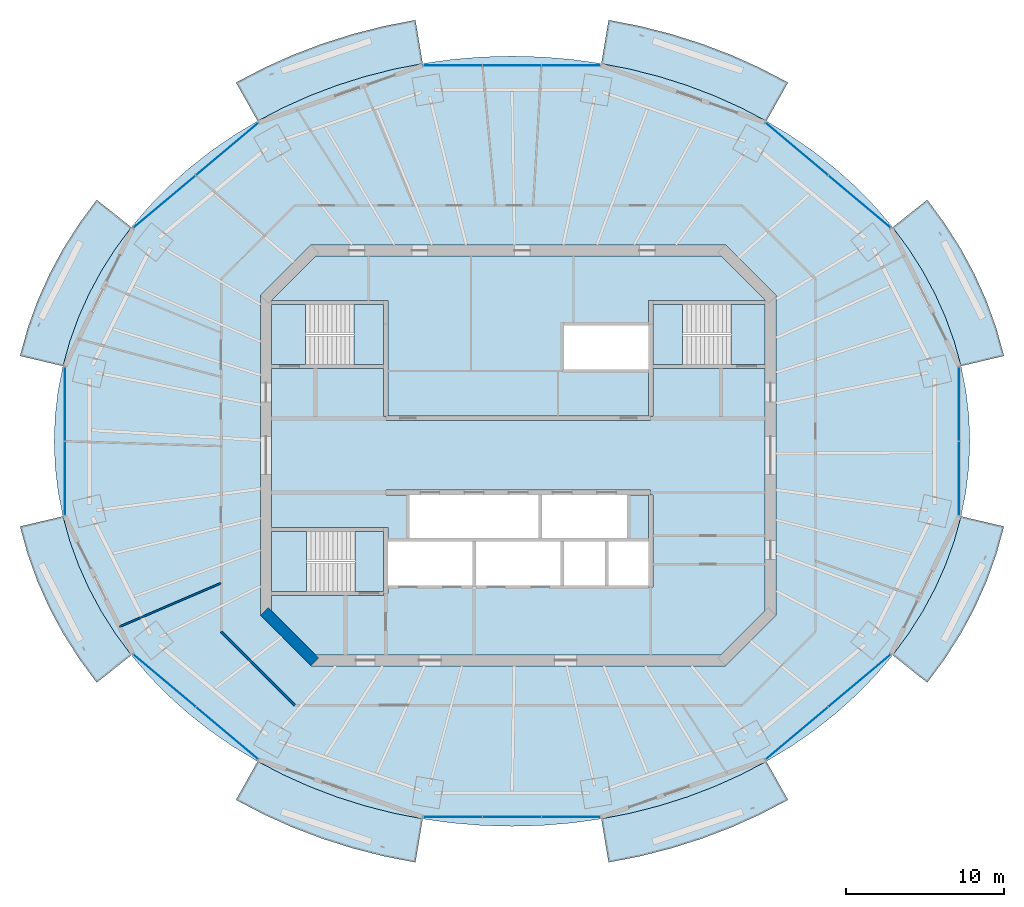
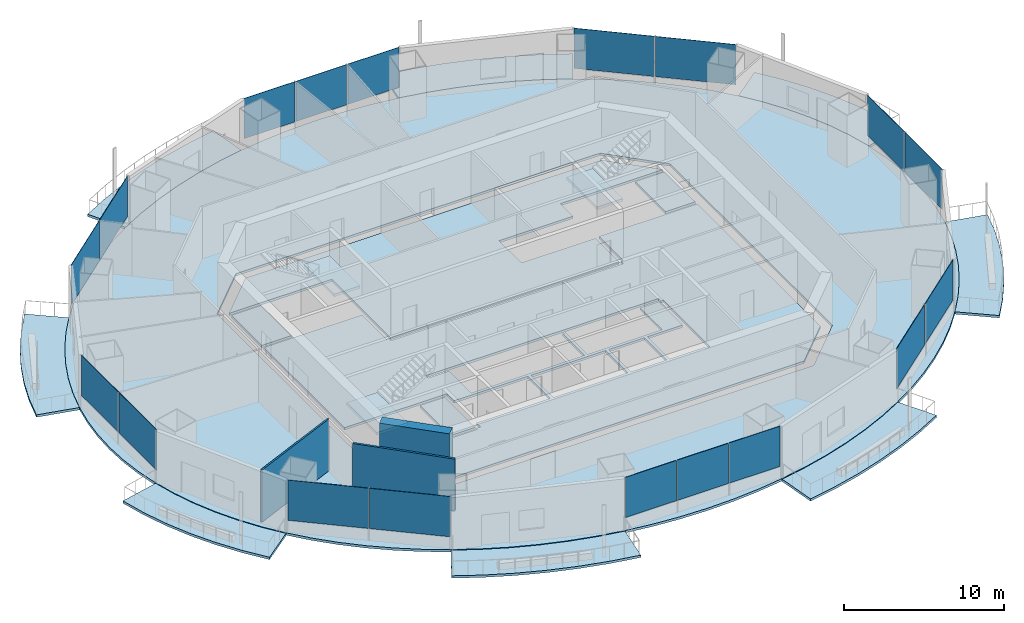
# One storey, part 7 of 16: 18 plates, 17 slabs, 3 walls, 11 elements without a shape of their own.
"""IFC4 building model written with IfcOpenShell, lengths in metres."""

from ifc_helpers import new_model, si_unit, direction, frame, frame_2d, origin, origin_2d, place, context, subcontext, project, spatial, polyline, rectangle, outline, extrude, material, layer, layer_set, type_object, element, aggregate, save


model = new_model("IFC4")

# Units and contexts
model_context = context("Model", 3, precision=1e-05, world=origin(), true_north=direction((0.0, 1.0)))
body_context = subcontext(model_context, "Body", "Model", "MODEL_VIEW")
ifc_project = project(units=[si_unit("LENGTHUNIT", "METRE"), si_unit("AREAUNIT", "SQUARE_METRE"), si_unit("VOLUMEUNIT", "CUBIC_METRE"), si_unit("PLANEANGLEUNIT", "RADIAN"), si_unit("MASSUNIT", "GRAM", prefix="KILO")], contexts=[model_context])

# Site, building, storey
site_placement = place(None, origin())
site = spatial("IfcSite", under=ifc_project, at=site_placement, CompositionType="ELEMENT")
building_placement = place(site_placement, origin())
building = spatial("IfcBuilding", under=site, at=building_placement, Name="Marenthal Gate Tower", CompositionType="ELEMENT")
storey_placement = place(building_placement, frame((0.0, 0.0, 292.800048828125)))
storey = spatial("IfcBuildingStorey", under=building, at=storey_placement, Name="L65", CompositionType="ELEMENT", Elevation=292.800048828125)

# Slabs
ifc_material_1 = material(Name="Concrete 40 MPa", Category="concrete")
ifc_layer_1 = layer(ifc_material_1, 0.179931640625)
ifc_layer_set_1 = layer_set([ifc_layer_1], Name="Balcony deck 180")
slab_type_1 = type_object("IfcSlabType", Name="Balcony deck 180", PredefinedType="USERDEFINED", material=ifc_layer_set_1)
slab_1_placement = place(storey_placement, frame((0.0, 0.0, -0.219970703125)))
element("IfcSlab", 1, at=slab_1_placement, inside=storey, type_object=slab_type_1, Name="Balcony deck L65 bay 1", ObjectType="BALCONY", PredefinedType="USERDEFINED", context=body_context, shape_type="SweptSolid", body=[
    extrude(outline(polyline([(28.080078125, 5.664794921875), (27.648681640625, 7.22119140625), (27.096923828125, 8.75048828125), (26.427490234375, 10.246337890625), (25.643310546875, 11.701904296875), (24.74755859375, 13.111572265625), (23.744140625, 14.46875), (25.9365234375, 16.21044921875), (27.05615234375, 14.696044921875), (28.058837890625, 13.1181640625), (28.939453125, 11.4833984375), (29.693603515625, 9.79833984375), (30.31640625, 8.071044921875), (30.804931640625, 6.30908203125), (28.080078125, 5.664794921875)])), origin(), (0.0, 0.0, 1.0), 0.179931640625),
])
slab_2_placement = place(storey_placement, frame((0.0, 0.0, -0.219970703125)))
element("IfcSlab", 2, at=slab_2_placement, inside=storey, type_object=slab_type_1, Name="Balcony deck L65 bay 3", ObjectType="BALCONY", PredefinedType="USERDEFINED", context=body_context, shape_type="SweptSolid", body=[
    extrude(outline(polyline([(15.732666015625, 21.20703125), (14.118896484375, 22.05078125), (12.443115234375, 22.80419921875), (10.71240234375, 23.4638671875), (8.93408203125, 24.02685546875), (7.115478515625, 24.49072265625), (5.264892578125, 24.853759765625), (5.72705078125, 27.615234375), (7.731201171875, 27.222412109375), (9.70263671875, 26.71923828125), (11.633544921875, 26.108154296875), (13.515869140625, 25.390625), (15.342041015625, 24.569580078125), (17.1044921875, 23.64794921875), (15.732666015625, 21.20703125)])), origin(), (0.0, 0.0, 1.0), 0.179931640625),
])
slab_3_placement = place(storey_placement, frame((0.0, 0.0, -0.219970703125)))
element("IfcSlab", 3, at=slab_3_placement, inside=storey, type_object=slab_type_1, Name="Balcony deck L65 bay 5", ObjectType="BALCONY", PredefinedType="USERDEFINED", context=body_context, shape_type="SweptSolid", body=[
    extrude(outline(polyline([(-6.06494140625, 24.853759765625), (-7.91552734375, 24.49072265625), (-9.73388671875, 24.02685546875), (-11.512451171875, 23.4638671875), (-13.2431640625, 22.80419921875), (-14.9189453125, 22.05078125), (-16.53271484375, 21.20703125), (-17.904296875, 23.64794921875), (-16.14208984375, 24.569580078125), (-14.31591796875, 25.390625), (-12.43359375, 26.108154296875), (-10.502685546875, 26.71923828125), (-8.53125, 27.222412109375), (-6.527099609375, 27.615234375), (-6.06494140625, 24.853759765625)])), origin(), (0.0, 0.0, 1.0), 0.179931640625),
])
slab_4_placement = place(storey_placement, frame((0.0, 0.0, -0.219970703125)))
element("IfcSlab", 4, at=slab_4_placement, inside=storey, type_object=slab_type_1, Name="Balcony deck L65 bay 7", ObjectType="BALCONY", PredefinedType="USERDEFINED", context=body_context, shape_type="SweptSolid", body=[
    extrude(outline(polyline([(-24.544189453125, 14.46875), (-25.547607421875, 13.111572265625), (-26.443359375, 11.701904296875), (-27.2275390625, 10.246337890625), (-27.89697265625, 8.75048828125), (-28.448486328125, 7.22119140625), (-28.8798828125, 5.664794921875), (-31.604736328125, 6.30908203125), (-31.116455078125, 8.071044921875), (-30.493408203125, 9.79833984375), (-29.739501953125, 11.4833984375), (-28.85888671875, 13.1181640625), (-27.85595703125, 14.696044921875), (-26.736572265625, 16.21044921875), (-24.544189453125, 14.46875)])), origin(), (0.0, 0.0, 1.0), 0.179931640625),
])
slab_5_placement = place(storey_placement, frame((0.0, 0.0, -0.219970703125)))
element("IfcSlab", 5, at=slab_5_placement, inside=storey, type_object=slab_type_1, Name="Balcony deck L65 bay 9", ObjectType="BALCONY", PredefinedType="USERDEFINED", context=body_context, shape_type="SweptSolid", body=[
    extrude(outline(polyline([(-28.8798828125, -3.86474609375), (-28.448486328125, -5.421142578125), (-27.89697265625, -6.950439453125), (-27.2275390625, -8.4462890625), (-26.443359375, -9.902099609375), (-25.547607421875, -11.3115234375), (-24.544189453125, -12.668701171875), (-26.736572265625, -14.410400390625), (-27.85595703125, -12.896240234375), (-28.85888671875, -11.318115234375), (-29.739501953125, -9.683349609375), (-30.493408203125, -7.99853515625), (-31.116455078125, -6.27099609375), (-31.604736328125, -4.509033203125), (-28.8798828125, -3.86474609375)])), origin(), (0.0, 0.0, 1.0), 0.179931640625),
])
slab_6_placement = place(storey_placement, frame((0.0, 0.0, -0.219970703125)))
element("IfcSlab", 6, at=slab_6_placement, inside=storey, type_object=slab_type_1, Name="Balcony deck L65 bay 11", ObjectType="BALCONY", PredefinedType="USERDEFINED", context=body_context, shape_type="SweptSolid", body=[
    extrude(outline(polyline([(-16.53271484375, -19.406982421875), (-14.9189453125, -20.2509765625), (-13.2431640625, -21.00439453125), (-11.512451171875, -21.663818359375), (-9.73388671875, -22.226806640625), (-7.91552734375, -22.69091796875), (-6.06494140625, -23.0537109375), (-6.527099609375, -25.8154296875), (-8.53125, -25.42236328125), (-10.502685546875, -24.91943359375), (-12.43359375, -24.30810546875), (-14.31591796875, -23.590576171875), (-16.14208984375, -22.76953125), (-17.904296875, -21.847900390625), (-16.53271484375, -19.406982421875)])), origin(), (0.0, 0.0, 1.0), 0.179931640625),
])
slab_7_placement = place(storey_placement, frame((0.0, 0.0, -0.219970703125)))
element("IfcSlab", 7, at=slab_7_placement, inside=storey, type_object=slab_type_1, Name="Balcony deck L65 bay 13", ObjectType="BALCONY", PredefinedType="USERDEFINED", context=body_context, shape_type="SweptSolid", body=[
    extrude(outline(polyline([(5.264892578125, -23.0537109375), (7.115478515625, -22.69091796875), (8.93408203125, -22.226806640625), (10.71240234375, -21.663818359375), (12.443115234375, -21.00439453125), (14.118896484375, -20.2509765625), (15.732666015625, -19.406982421875), (17.1044921875, -21.847900390625), (15.342041015625, -22.76953125), (13.515869140625, -23.590576171875), (11.633544921875, -24.30810546875), (9.70263671875, -24.91943359375), (7.731201171875, -25.42236328125), (5.72705078125, -25.8154296875), (5.264892578125, -23.0537109375)])), origin(), (0.0, 0.0, 1.0), 0.179931640625),
])
slab_8_placement = place(storey_placement, frame((0.0, 0.0, -0.219970703125)))
element("IfcSlab", 8, at=slab_8_placement, inside=storey, type_object=slab_type_1, Name="Balcony deck L65 bay 15", ObjectType="BALCONY", PredefinedType="USERDEFINED", context=body_context, shape_type="SweptSolid", body=[
    extrude(outline(polyline([(23.744140625, -12.668701171875), (24.74755859375, -11.3115234375), (25.643310546875, -9.902099609375), (26.427490234375, -8.4462890625), (27.096923828125, -6.950439453125), (27.648681640625, -5.421142578125), (28.080078125, -3.86474609375), (30.804931640625, -4.509033203125), (30.31640625, -6.27099609375), (29.693603515625, -7.99853515625), (28.939453125, -9.683349609375), (28.058837890625, -11.318115234375), (27.05615234375, -12.896240234375), (25.9365234375, -14.410400390625), (23.744140625, -12.668701171875)])), origin(), (0.0, 0.0, 1.0), 0.179931640625),
])
ifc_material_2 = material(Name="Concrete 50 MPa", Category="concrete")
ifc_layer_2 = layer(ifc_material_2, 0.179931640625)
ifc_layer_set_2 = layer_set([ifc_layer_2], Name="Core floor slab 180")
slab_type_2 = type_object("IfcSlabType", Name="Core floor slab 180", PredefinedType="FLOOR", material=ifc_layer_set_2)
slab_9_placement = place(storey_placement, frame((0.0, 0.0, -0.179931640625)))
element("IfcSlab", 9, at=slab_9_placement, inside=storey, type_object=slab_type_2, Name="Core floor L65", PredefinedType="FLOOR", context=body_context, shape_type="SweptSolid", body=[
    extrude(outline(polyline([(12.85498046875, -12.64990234375), (-12.85498046875, -12.64990234375), (-15.64990234375, -9.85498046875), (-15.64990234375, -8.875), (-8.550048828125, -8.875), (-8.550048828125, -8.75), (-8.25, -8.75), (-8.25, -8.239990234375), (-5.60009765625, -8.239990234375), (-2.909912109375, -8.239990234375), (-2.909912109375, -5.4599609375), (-5.60009765625, -5.4599609375), (-8.25, -5.4599609375), (-8.25, -4.574951171875), (-8.550048828125, -4.574951171875), (-15.64990234375, -4.574951171875), (-15.64990234375, 5.52490234375), (-8.550048828125, 5.52490234375), (-8.550048828125, 2.5), (-8.39990234375, 2.5), (-8.39990234375, 2.199951171875), (8.39990234375, 2.199951171875), (8.39990234375, 2.5), (8.550048828125, 2.5), (8.550048828125, 5.52490234375), (15.64990234375, 5.52490234375), (15.64990234375, -9.85498046875), (12.85498046875, -12.64990234375)]), holes=[polyline([(0.0, -8.239990234375), (2.68994140625, -8.239990234375), (2.68994140625, -5.4599609375), (0.0, -5.4599609375), (-2.68994140625, -5.4599609375), (-2.68994140625, -8.239990234375), (0.0, -8.239990234375)]), polyline([(1.2900390625, -5.239990234375), (1.2900390625, -2.5), (1.510009765625, -2.5), (1.510009765625, -5.239990234375), (4.199951171875, -5.239990234375), (6.889892578125, -5.239990234375), (6.889892578125, -2.5), (8.25, -2.5), (8.25, -5.4599609375), (5.7099609375, -5.4599609375), (5.7099609375, -8.239990234375), (8.25, -8.239990234375), (8.25, -8.35009765625), (8.550048828125, -8.35009765625), (8.550048828125, -2.5), (8.39990234375, -2.5), (8.39990234375, -2.199951171875), (-8.39990234375, -2.199951171875), (-8.39990234375, -2.5), (-6.889892578125, -2.5), (-6.889892578125, -5.239990234375), (-4.199951171875, -5.239990234375), (-1.39990234375, -5.239990234375), (1.2900390625, -5.239990234375)]), polyline([(5.489990234375, -5.4599609375), (2.909912109375, -5.4599609375), (2.909912109375, -8.239990234375), (5.489990234375, -8.239990234375), (5.489990234375, -5.4599609375)])]), origin(), (0.0, 0.0, 1.0), 0.179931640625),
])
slab_10_placement = place(storey_placement, frame((0.0, 0.0, -0.179931640625)))
element("IfcSlab", 10, at=slab_10_placement, inside=storey, type_object=slab_type_2, Name="Core floor L65", PredefinedType="FLOOR", context=body_context, shape_type="SweptSolid", body=[
    extrude(outline(polyline([(15.64990234375, 5.77490234375), (13.5, 5.77490234375), (13.5, 9.574951171875), (15.64990234375, 9.574951171875), (15.64990234375, 5.77490234375)])), origin(), (0.0, 0.0, 1.0), 0.179931640625),
])
slab_11_placement = place(storey_placement, frame((0.0, 0.0, -0.179931640625)))
element("IfcSlab", 11, at=slab_11_placement, inside=storey, type_object=slab_type_2, Name="Core floor L65", PredefinedType="FLOOR", context=body_context, shape_type="SweptSolid", body=[
    extrude(outline(polyline([(15.64990234375, 9.824951171875), (8.550048828125, 9.824951171875), (8.25, 9.824951171875), (8.25, 8.35009765625), (8.25, 8.239990234375), (5.60009765625, 8.239990234375), (2.909912109375, 8.239990234375), (2.909912109375, 5.4599609375), (5.60009765625, 5.4599609375), (8.25, 5.4599609375), (8.25, 2.5), (-8.25, 2.5), (-8.25, 8.35009765625), (-8.25, 9.824951171875), (-8.550048828125, 9.824951171875), (-15.64990234375, 9.824951171875), (-15.64990234375, 9.85498046875), (-12.85498046875, 12.64990234375), (12.85498046875, 12.64990234375), (15.64990234375, 9.85498046875), (15.64990234375, 9.824951171875)])), origin(), (0.0, 0.0, 1.0), 0.179931640625),
])
slab_12_placement = place(storey_placement, frame((0.0, 0.0, -0.179931640625)))
element("IfcSlab", 12, at=slab_12_placement, inside=storey, type_object=slab_type_2, Name="Core floor L65", PredefinedType="FLOOR", context=body_context, shape_type="SweptSolid", body=[
    extrude(outline(polyline([(-15.64990234375, 9.574951171875), (-13.5, 9.574951171875), (-13.5, 5.77490234375), (-15.64990234375, 5.77490234375), (-15.64990234375, 9.574951171875)])), origin(), (0.0, 0.0, 1.0), 0.179931640625),
])
slab_13_placement = place(storey_placement, frame((0.0, 0.0, -0.179931640625)))
element("IfcSlab", 13, at=slab_13_placement, inside=storey, type_object=slab_type_2, Name="Core floor L65", PredefinedType="FLOOR", context=body_context, shape_type="SweptSolid", body=[
    extrude(outline(polyline([(-8.550048828125, -4.824951171875), (-8.550048828125, -8.625), (-10.35009765625, -8.625), (-10.35009765625, -4.824951171875), (-8.550048828125, -4.824951171875)])), origin(), (0.0, 0.0, 1.0), 0.179931640625),
])
ifc_material_3 = material(Name="Concrete 35 MPa", Category="concrete")
ifc_layer_3 = layer(ifc_material_3, 0.179931640625)
ifc_layer_set_3 = layer_set([ifc_layer_3], Name="Floor slab 180")
slab_type_3 = type_object("IfcSlabType", Name="Floor slab 180", PredefinedType="FLOOR", material=ifc_layer_set_3)
slab_14_placement = place(storey_placement, frame((0.0, 0.0, -0.179931640625)))
element("IfcSlab", 14, at=slab_14_placement, inside=storey, type_object=slab_type_3, Name="SL-L65-01", PredefinedType="FLOOR", context=body_context, shape_type="SweptSolid", body=[
    extrude(outline(polyline([(28.637939453125, 0.89990234375), (28.57568359375, 2.497314453125), (28.3896484375, 4.087890625), (28.080078125, 5.664794921875), (27.648681640625, 7.22119140625), (27.096923828125, 8.75048828125), (26.427490234375, 10.246337890625), (25.643310546875, 11.701904296875), (24.74755859375, 13.111572265625), (23.744140625, 14.46875), (22.637451171875, 15.767822265625), (21.431884765625, 17.003173828125), (20.133056640625, 18.169677734375), (18.74609375, 19.26220703125), (17.277099609375, 20.276123046875), (15.732666015625, 21.20703125), (14.118896484375, 22.05078125), (12.443115234375, 22.80419921875), (10.71240234375, 23.4638671875), (8.93408203125, 24.02685546875), (7.115478515625, 24.49072265625), (5.264892578125, 24.853759765625), (3.39013671875, 25.114013671875), (1.499267578125, 25.270751953125), (-0.39990234375, 25.322998046875), (-2.29931640625, 25.270751953125), (-4.190185546875, 25.114013671875), (-6.06494140625, 24.853759765625), (-7.91552734375, 24.49072265625), (-9.73388671875, 24.02685546875), (-11.512451171875, 23.4638671875), (-13.2431640625, 22.80419921875), (-14.9189453125, 22.05078125), (-16.53271484375, 21.20703125), (-18.0771484375, 20.276123046875), (-19.546142578125, 19.26220703125), (-20.93310546875, 18.169677734375), (-22.23193359375, 17.003173828125), (-23.4375, 15.767822265625), (-24.544189453125, 14.46875), (-25.547607421875, 13.111572265625), (-26.443359375, 11.701904296875), (-27.2275390625, 10.246337890625), (-27.89697265625, 8.75048828125), (-28.448486328125, 7.22119140625), (-28.8798828125, 5.664794921875), (-29.189697265625, 4.087890625), (-29.375732421875, 2.497314453125), (-29.43798828125, 0.89990234375), (-29.375732421875, -0.697265625), (-29.189697265625, -2.287841796875), (-28.8798828125, -3.86474609375), (-28.448486328125, -5.421142578125), (-27.89697265625, -6.950439453125), (-27.2275390625, -8.4462890625), (-26.443359375, -9.902099609375), (-25.547607421875, -11.3115234375), (-24.544189453125, -12.668701171875), (-23.4375, -13.9677734375), (-22.23193359375, -15.203125), (-20.93310546875, -16.36962890625), (-19.546142578125, -17.462158203125), (-18.0771484375, -18.47607421875), (-16.53271484375, -19.406982421875), (-14.9189453125, -20.2509765625), (-13.2431640625, -21.00439453125), (-11.512451171875, -21.663818359375), (-9.73388671875, -22.226806640625), (-7.91552734375, -22.69091796875), (-6.06494140625, -23.0537109375), (-4.190185546875, -23.314208984375), (-2.29931640625, -23.470703125), (-0.39990234375, -23.52294921875), (1.499267578125, -23.470703125), (3.39013671875, -23.314208984375), (5.264892578125, -23.0537109375), (7.115478515625, -22.69091796875), (8.93408203125, -22.226806640625), (10.71240234375, -21.663818359375), (12.443115234375, -21.00439453125), (14.118896484375, -20.2509765625), (15.732666015625, -19.406982421875), (17.277099609375, -18.47607421875), (18.74609375, -17.462158203125), (20.133056640625, -16.36962890625), (21.431884765625, -15.203125), (22.637451171875, -13.9677734375), (23.744140625, -12.668701171875), (24.74755859375, -11.3115234375), (25.643310546875, -9.902099609375), (26.427490234375, -8.4462890625), (27.096923828125, -6.950439453125), (27.648681640625, -5.421142578125), (28.080078125, -3.86474609375), (28.3896484375, -2.287841796875), (28.57568359375, -0.697265625), (28.637939453125, 0.89990234375)]), holes=[polyline([(13.14501953125, -13.35009765625), (16.35009765625, -10.14501953125), (16.35009765625, 10.14501953125), (13.14501953125, 13.35009765625), (-13.14501953125, 13.35009765625), (-16.35009765625, 10.14501953125), (-16.35009765625, -10.14501953125), (-13.14501953125, -13.35009765625), (13.14501953125, -13.35009765625)])]), origin(), (0.0, 0.0, 1.0), 0.179931640625),
])

# Curtain wall, plates
ifc_material_4 = material(Name="Aluminium and glass", Category="aluminium")
curtain_wall_type = type_object("IfcCurtainWallType", Name="Curtain wall typical high", PredefinedType="NOTDEFINED", material=ifc_material_4)
curtain_wall_1_placement = place(storey_placement, origin())
curtain_wall_1 = element("IfcCurtainWall", 15, at=curtain_wall_1_placement, inside=storey, type_object=curtain_wall_type, Name="Curtain wall L65 bay 2", PredefinedType="NOTDEFINED")
ifc_material_5 = material(Name="Glass, laminated insulating unit", Category="glass")
ifc_layer_4 = layer(ifc_material_5, 0.031982421875)
ifc_layer_set_4 = layer_set([ifc_layer_4], Name="Glass panel 32 typical high")
plate_type = type_object("IfcPlateType", Name="Glass panel 32 typical high", PredefinedType="CURTAIN_PANEL", material=ifc_layer_set_4)
plate_1_placement = place(storey_placement, frame((21.638427734375, 16.087890625, 0.89990234375), z_axis=(0.0, 0.0, 1.0), x_axis=(-0.76554681722, 0.643380191367, 0.0)))
plate_1 = element("IfcPlate", 16, at=plate_1_placement, type_object=plate_type, Name="Glass panel L65 bay 2.1", PredefinedType="CURTAIN_PANEL", context=body_context, shape_type="SweptSolid", body=[
    extrude(rectangle(XDim=5.120849609375, YDim=0.031982421875, at=origin_2d()), origin(), (0.0, 0.0, 1.0), 3.070068359375),
])
plate_2_placement = place(storey_placement, frame((17.672119140625, 19.421142578125, 0.89990234375), z_axis=(0.0, 0.0, 1.0), x_axis=(-0.76554681722, 0.643380191367, 0.0)))
plate_2 = element("IfcPlate", 17, at=plate_2_placement, type_object=plate_type, Name="Glass panel L65 bay 2.2", PredefinedType="CURTAIN_PANEL", context=body_context, shape_type="SweptSolid", body=[
    extrude(rectangle(XDim=5.120849609375, YDim=0.031982421875, at=origin_2d()), origin(), (0.0, 0.0, 1.0), 3.070068359375),
])
aggregate(curtain_wall_1, [plate_1, plate_2])

curtain_wall_2_placement = place(storey_placement, origin())
curtain_wall_2 = element("IfcCurtainWall", 18, at=curtain_wall_2_placement, inside=storey, type_object=curtain_wall_type, Name="Curtain wall L65 bay 4", PredefinedType="NOTDEFINED")
plate_3_placement = place(storey_placement, frame((3.341064453125, 24.736083984375, 0.89990234375), z_axis=(0.0, 0.0, 1.0), x_axis=(-1.0, 0.0, 0.0)))
plate_3 = element("IfcPlate", 19, at=plate_3_placement, type_object=plate_type, Name="Glass panel L65 bay 4.1", PredefinedType="CURTAIN_PANEL", context=body_context, shape_type="SweptSolid", body=[
    extrude(rectangle(XDim=3.68115234375, YDim=0.031982421875, at=origin_2d()), origin(), (0.0, 0.0, 1.0), 3.070068359375),
])
plate_4_placement = place(storey_placement, frame((-0.39990234375, 24.736083984375, 0.89990234375), z_axis=(0.0, 0.0, 1.0), x_axis=(-1.0, 0.0, 0.0)))
plate_4 = element("IfcPlate", 20, at=plate_4_placement, type_object=plate_type, Name="Glass panel L65 bay 4.2", PredefinedType="CURTAIN_PANEL", context=body_context, shape_type="SweptSolid", body=[
    extrude(rectangle(XDim=3.680908203125, YDim=0.031982421875, at=origin_2d()), origin(), (0.0, 0.0, 1.0), 3.070068359375),
])
plate_5_placement = place(storey_placement, frame((-4.14111328125, 24.736083984375, 0.89990234375), z_axis=(0.0, 0.0, 1.0), x_axis=(-1.0, 0.0, 0.0)))
plate_5 = element("IfcPlate", 21, at=plate_5_placement, type_object=plate_type, Name="Glass panel L65 bay 4.3", PredefinedType="CURTAIN_PANEL", context=body_context, shape_type="SweptSolid", body=[
    extrude(rectangle(XDim=3.68115234375, YDim=0.031982421875, at=origin_2d()), origin(), (0.0, 0.0, 1.0), 3.070068359375),
])
aggregate(curtain_wall_2, [plate_3, plate_4, plate_5])

curtain_wall_3_placement = place(storey_placement, origin())
curtain_wall_3 = element("IfcCurtainWall", 22, at=curtain_wall_3_placement, inside=storey, type_object=curtain_wall_type, Name="Curtain wall L65 bay 6", PredefinedType="NOTDEFINED")
plate_6_placement = place(storey_placement, frame((-18.47216796875, 19.421142578125, 0.89990234375), z_axis=(0.0, 0.0, 1.0), x_axis=(-0.76554681722, -0.643380191367, 0.0)))
plate_6 = element("IfcPlate", 23, at=plate_6_placement, type_object=plate_type, Name="Glass panel L65 bay 6.1", PredefinedType="CURTAIN_PANEL", context=body_context, shape_type="SweptSolid", body=[
    extrude(rectangle(XDim=5.120849609375, YDim=0.031982421875, at=origin_2d()), origin(), (0.0, 0.0, 1.0), 3.070068359375),
])
plate_7_placement = place(storey_placement, frame((-22.438232421875, 16.087890625, 0.89990234375), z_axis=(0.0, 0.0, 1.0), x_axis=(-0.76554681722, -0.643380191367, 0.0)))
plate_7 = element("IfcPlate", 24, at=plate_7_placement, type_object=plate_type, Name="Glass panel L65 bay 6.2", PredefinedType="CURTAIN_PANEL", context=body_context, shape_type="SweptSolid", body=[
    extrude(rectangle(XDim=5.120849609375, YDim=0.031982421875, at=origin_2d()), origin(), (0.0, 0.0, 1.0), 3.070068359375),
])
aggregate(curtain_wall_3, [plate_6, plate_7])

curtain_wall_4_placement = place(storey_placement, origin())
curtain_wall_4 = element("IfcCurtainWall", 25, at=curtain_wall_4_placement, inside=storey, type_object=curtain_wall_type, Name="Curtain wall L65 bay 8", PredefinedType="NOTDEFINED")
plate_8_placement = place(storey_placement, frame((-28.76220703125, 3.255615234375, 0.89990234375), z_axis=(0.0, 0.0, 1.0), x_axis=(0.0, -1.0, 0.0)))
plate_8 = element("IfcPlate", 26, at=plate_8_placement, type_object=plate_type, Name="Glass panel L65 bay 8.1", PredefinedType="CURTAIN_PANEL", context=body_context, shape_type="SweptSolid", body=[
    extrude(rectangle(XDim=4.6513671875, YDim=0.031982421875, at=origin_2d()), origin(), (0.0, 0.0, 1.0), 3.070068359375),
])
plate_9_placement = place(storey_placement, frame((-28.76220703125, -1.45556640625, 0.89990234375), z_axis=(0.0, 0.0, 1.0), x_axis=(0.0, -1.0, 0.0)))
plate_9 = element("IfcPlate", 27, at=plate_9_placement, type_object=plate_type, Name="Glass panel L65 bay 8.2", PredefinedType="CURTAIN_PANEL", context=body_context, shape_type="SweptSolid", body=[
    extrude(rectangle(XDim=4.6513671875, YDim=0.031982421875, at=origin_2d()), origin(), (0.0, 0.0, 1.0), 3.070068359375),
])
aggregate(curtain_wall_4, [plate_8, plate_9])

curtain_wall_5_placement = place(storey_placement, origin())
curtain_wall_5 = element("IfcCurtainWall", 28, at=curtain_wall_5_placement, inside=storey, type_object=curtain_wall_type, Name="Curtain wall L65 bay 10", PredefinedType="NOTDEFINED")
plate_10_placement = place(storey_placement, frame((-22.438232421875, -14.287841796875, 0.89990234375), z_axis=(0.0, 0.0, 1.0), x_axis=(0.76554681722, -0.643380191367, 0.0)))
plate_10 = element("IfcPlate", 29, at=plate_10_placement, type_object=plate_type, Name="Glass panel L65 bay 10.1", PredefinedType="CURTAIN_PANEL", context=body_context, shape_type="SweptSolid", body=[
    extrude(rectangle(XDim=5.120849609375, YDim=0.031982421875, at=origin_2d()), origin(), (0.0, 0.0, 1.0), 3.070068359375),
])
plate_11_placement = place(storey_placement, frame((-18.47216796875, -17.621337890625, 0.89990234375), z_axis=(0.0, 0.0, 1.0), x_axis=(0.76554681722, -0.643380191367, 0.0)))
plate_11 = element("IfcPlate", 30, at=plate_11_placement, type_object=plate_type, Name="Glass panel L65 bay 10.2", PredefinedType="CURTAIN_PANEL", context=body_context, shape_type="SweptSolid", body=[
    extrude(rectangle(XDim=5.120849609375, YDim=0.031982421875, at=origin_2d()), origin(), (0.0, 0.0, 1.0), 3.070068359375),
])
aggregate(curtain_wall_5, [plate_10, plate_11])

curtain_wall_6_placement = place(storey_placement, origin())
curtain_wall_6 = element("IfcCurtainWall", 31, at=curtain_wall_6_placement, inside=storey, type_object=curtain_wall_type, Name="Curtain wall L65 bay 12", PredefinedType="NOTDEFINED")
plate_12_placement = place(storey_placement, frame((-4.14111328125, -22.93603515625, 0.89990234375), z_axis=(0.0, 0.0, 1.0), x_axis=(1.0, 0.0, 0.0)))
plate_12 = element("IfcPlate", 32, at=plate_12_placement, type_object=plate_type, Name="Glass panel L65 bay 12.1", PredefinedType="CURTAIN_PANEL", context=body_context, shape_type="SweptSolid", body=[
    extrude(rectangle(XDim=3.68115234375, YDim=0.031982421875, at=origin_2d()), origin(), (0.0, 0.0, 1.0), 3.070068359375),
])
plate_13_placement = place(storey_placement, frame((-0.39990234375, -22.93603515625, 0.89990234375), z_axis=(0.0, 0.0, 1.0), x_axis=(1.0, 0.0, 0.0)))
plate_13 = element("IfcPlate", 33, at=plate_13_placement, type_object=plate_type, Name="Glass panel L65 bay 12.2", PredefinedType="CURTAIN_PANEL", context=body_context, shape_type="SweptSolid", body=[
    extrude(rectangle(XDim=3.680908203125, YDim=0.031982421875, at=origin_2d()), origin(), (0.0, 0.0, 1.0), 3.070068359375),
])
plate_14_placement = place(storey_placement, frame((3.341064453125, -22.93603515625, 0.89990234375), z_axis=(0.0, 0.0, 1.0), x_axis=(1.0, 0.0, 0.0)))
plate_14 = element("IfcPlate", 34, at=plate_14_placement, type_object=plate_type, Name="Glass panel L65 bay 12.3", PredefinedType="CURTAIN_PANEL", context=body_context, shape_type="SweptSolid", body=[
    extrude(rectangle(XDim=3.68115234375, YDim=0.031982421875, at=origin_2d()), origin(), (0.0, 0.0, 1.0), 3.070068359375),
])
aggregate(curtain_wall_6, [plate_12, plate_13, plate_14])

curtain_wall_7_placement = place(storey_placement, origin())
curtain_wall_7 = element("IfcCurtainWall", 35, at=curtain_wall_7_placement, inside=storey, type_object=curtain_wall_type, Name="Curtain wall L65 bay 14", PredefinedType="NOTDEFINED")
plate_15_placement = place(storey_placement, frame((17.672119140625, -17.621337890625, 0.89990234375), z_axis=(0.0, 0.0, 1.0), x_axis=(0.76554681722, 0.643380191367, 0.0)))
plate_15 = element("IfcPlate", 36, at=plate_15_placement, type_object=plate_type, Name="Glass panel L65 bay 14.1", PredefinedType="CURTAIN_PANEL", context=body_context, shape_type="SweptSolid", body=[
    extrude(rectangle(XDim=5.120849609375, YDim=0.031982421875, at=origin_2d()), origin(), (0.0, 0.0, 1.0), 3.070068359375),
])
plate_16_placement = place(storey_placement, frame((21.63818359375, -14.2880859375, 0.89990234375), z_axis=(0.0, 0.0, 1.0), x_axis=(0.76554681722, 0.643380191367, 0.0)))
plate_16 = element("IfcPlate", 37, at=plate_16_placement, type_object=plate_type, Name="Glass panel L65 bay 14.2", PredefinedType="CURTAIN_PANEL", context=body_context, shape_type="SweptSolid", body=[
    extrude(rectangle(XDim=5.120849609375, YDim=0.031982421875, at=origin_2d()), origin(), (0.0, 0.0, 1.0), 3.070068359375),
])
aggregate(curtain_wall_7, [plate_15, plate_16])

curtain_wall_8_placement = place(storey_placement, origin())
curtain_wall_8 = element("IfcCurtainWall", 38, at=curtain_wall_8_placement, inside=storey, type_object=curtain_wall_type, Name="Curtain wall L65 bay 16", PredefinedType="NOTDEFINED")
plate_17_placement = place(storey_placement, frame((27.96240234375, -1.45556640625, 0.89990234375), z_axis=(0.0, 0.0, 1.0), x_axis=(0.0, 1.0, 0.0)))
plate_17 = element("IfcPlate", 39, at=plate_17_placement, type_object=plate_type, Name="Glass panel L65 bay 16.1", PredefinedType="CURTAIN_PANEL", context=body_context, shape_type="SweptSolid", body=[
    extrude(rectangle(XDim=4.6513671875, YDim=0.031982421875, at=origin_2d()), origin(), (0.0, 0.0, 1.0), 3.070068359375),
])
plate_18_placement = place(storey_placement, frame((27.96240234375, 3.255615234375, 0.89990234375), z_axis=(0.0, 0.0, 1.0), x_axis=(0.0, 1.0, 0.0)))
plate_18 = element("IfcPlate", 40, at=plate_18_placement, type_object=plate_type, Name="Glass panel L65 bay 16.2", PredefinedType="CURTAIN_PANEL", context=body_context, shape_type="SweptSolid", body=[
    extrude(rectangle(XDim=4.6513671875, YDim=0.031982421875, at=origin_2d()), origin(), (0.0, 0.0, 1.0), 3.070068359375),
])
aggregate(curtain_wall_8, [plate_17, plate_18])

# Stair, slab
ifc_material_6 = material(Name="Concrete 40 MPa", Category="concrete")
stair_type = type_object("IfcStairType", Name="Exit stair 1800", PredefinedType="HALF_TURN_STAIR", material=ifc_material_6)
stair_1_placement = place(storey_placement, origin())
stair_1 = element("IfcStair", 41, at=stair_1_placement, inside=storey, type_object=stair_type, Name="Stair ST1", PredefinedType="HALF_TURN_STAIR")
ifc_material_7 = material(Name="Concrete 40 MPa", Category="concrete")
ifc_layer_5 = layer(ifc_material_7, 0.199951171875)
ifc_layer_set_5 = layer_set([ifc_layer_5], Name="Stair landing 200")
slab_type_4 = type_object("IfcSlabType", Name="Stair landing 200", PredefinedType="LANDING", material=ifc_layer_set_5)
slab_15_placement = place(storey_placement, frame((0.0, 0.0, 1.875)))
slab_15 = element("IfcSlab", 42, at=slab_15_placement, type_object=slab_type_4, Name="ST1 landing 1", PredefinedType="LANDING", context=body_context, shape_type="SweptSolid", body=[
    extrude(outline(polyline([(-10.419921875, 5.77490234375), (-8.550048828125, 5.77490234375), (-8.550048828125, 9.574951171875), (-10.419921875, 9.574951171875), (-10.419921875, 5.77490234375)])), origin(), (0.0, 0.0, 1.0), 0.199951171875),
])
aggregate(stair_1, [slab_15])

stair_2_placement = place(storey_placement, origin())
stair_2 = element("IfcStair", 43, at=stair_2_placement, inside=storey, type_object=stair_type, Name="Stair ST2", PredefinedType="HALF_TURN_STAIR")
slab_16_placement = place(storey_placement, frame((0.0, 0.0, 1.875)))
slab_16 = element("IfcSlab", 44, at=slab_16_placement, type_object=slab_type_4, Name="ST2 landing 1", PredefinedType="LANDING", context=body_context, shape_type="SweptSolid", body=[
    extrude(outline(polyline([(-15.64990234375, -8.625), (-13.429931640625, -8.625), (-13.429931640625, -4.824951171875), (-15.64990234375, -4.824951171875), (-15.64990234375, -8.625)])), origin(), (0.0, 0.0, 1.0), 0.199951171875),
])
aggregate(stair_2, [slab_16])

stair_3_placement = place(storey_placement, origin())
stair_3 = element("IfcStair", 45, at=stair_3_placement, inside=storey, type_object=stair_type, Name="Stair ST3", PredefinedType="HALF_TURN_STAIR")
slab_17_placement = place(storey_placement, frame((0.0, 0.0, 1.875)))
slab_17 = element("IfcSlab", 46, at=slab_17_placement, type_object=slab_type_4, Name="ST3 landing 1", PredefinedType="LANDING", context=body_context, shape_type="SweptSolid", body=[
    extrude(outline(polyline([(8.550048828125, 5.77490234375), (10.419921875, 5.77490234375), (10.419921875, 9.574951171875), (8.550048828125, 9.574951171875), (8.550048828125, 5.77490234375)])), origin(), (0.0, 0.0, 1.0), 0.199951171875),
])
aggregate(stair_3, [slab_17])

# Walls
ifc_material_8 = material(Name="Concrete 60 MPa", Category="concrete")
ifc_layer_6 = layer(ifc_material_8, 0.699951171875)
ifc_layer_set_6 = layer_set([ifc_layer_6], Name="Core shear wall 700")
wall_type_1 = type_object("IfcWallType", Name="Core shear wall 700", PredefinedType="SHEAR", material=ifc_layer_set_6)
wall_1_placement = place(storey_placement, frame((-16.1025390625, -9.8974609375, -0.179931640625), z_axis=(0.0, 0.0, 1.0), x_axis=(0.707106781187, -0.707106781187, 0.0)))
element("IfcWall", 47, at=wall_1_placement, inside=storey, type_object=wall_type_1, Name="Core wall 07", PredefinedType="SHEAR", context=body_context, shape_type="SweptSolid", body=[
    extrude(rectangle(XDim=4.53271484375, YDim=0.699951171875, at=frame_2d((2.266357421875, 0.0))), origin(), (0.0, 0.0, 1.0), 4.14990234375),
])
ifc_material_9 = material(Name="Gypsum board on steel studs", Category="steel")
ifc_layer_7 = layer(ifc_material_9, 0.1201171875)
ifc_layer_set_7 = layer_set([ifc_layer_7], Name="Partition 120")
wall_type_2 = type_object("IfcWallType", Name="Partition 120", PredefinedType="PARTITIONING", material=ifc_layer_set_7)
wall_2_placement = place(storey_placement, frame((-18.85009765625, -8.097412109375, 0.0), z_axis=(0.0, 0.0, 1.0), x_axis=(-0.918819078181, -0.394678985468, 0.0)))
element("IfcWall", 48, at=wall_2_placement, inside=storey, type_object=wall_type_2, Name="Partition wall 53", PredefinedType="PARTITIONING", context=body_context, shape_type="SweptSolid", body=[
    extrude(rectangle(XDim=7.01904296875, YDim=0.1201171875, at=frame_2d((3.509521484375, 0.0))), origin(), (0.0, 0.0, 1.0), 3.969970703125),
])
ifc_material_10 = material(Name="Gypsum board on steel studs", Category="steel")
ifc_layer_8 = layer(ifc_material_10, 0.14990234375)
ifc_layer_set_8 = layer_set([ifc_layer_8], Name="Partition 150")
wall_type_3 = type_object("IfcWallType", Name="Partition 150", PredefinedType="PARTITIONING", material=ifc_layer_set_8)
wall_3_placement = place(storey_placement, frame((-14.180419921875, -15.85009765625, 0.0), z_axis=(0.0, 0.0, 1.0), x_axis=(-0.707106781187, 0.707106781187, 0.0)))
element("IfcWall", 49, at=wall_3_placement, inside=storey, type_object=wall_type_3, Name="Partition wall 59", PredefinedType="PARTITIONING", context=body_context, shape_type="SweptSolid", body=[
    extrude(rectangle(XDim=6.60400390625, YDim=0.14990234375, at=frame_2d((3.302001953125, 0.0))), origin(), (0.0, 0.0, 1.0), 3.969970703125),
])

save(model, "model.ifc")
